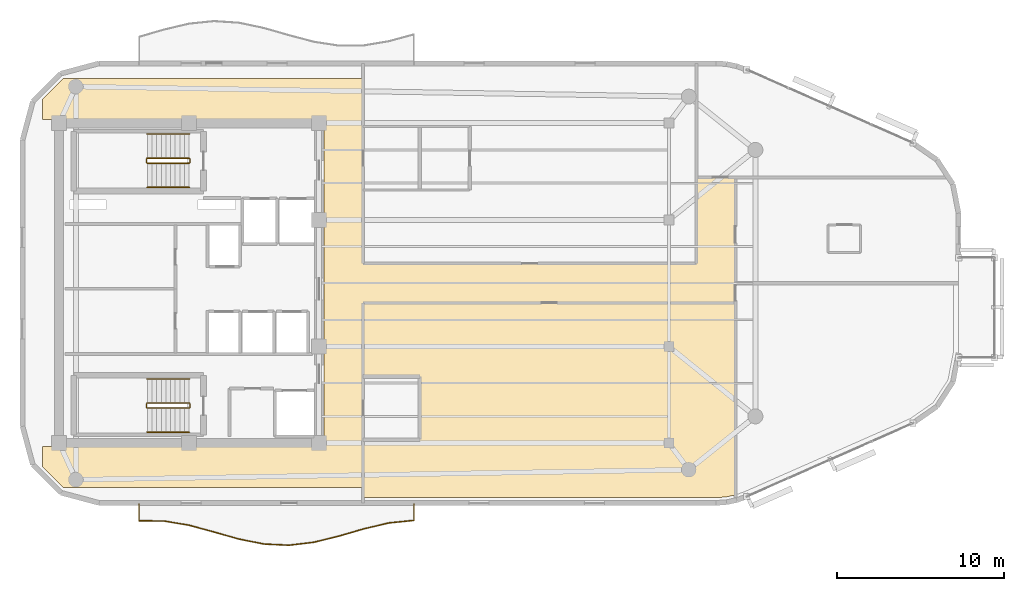
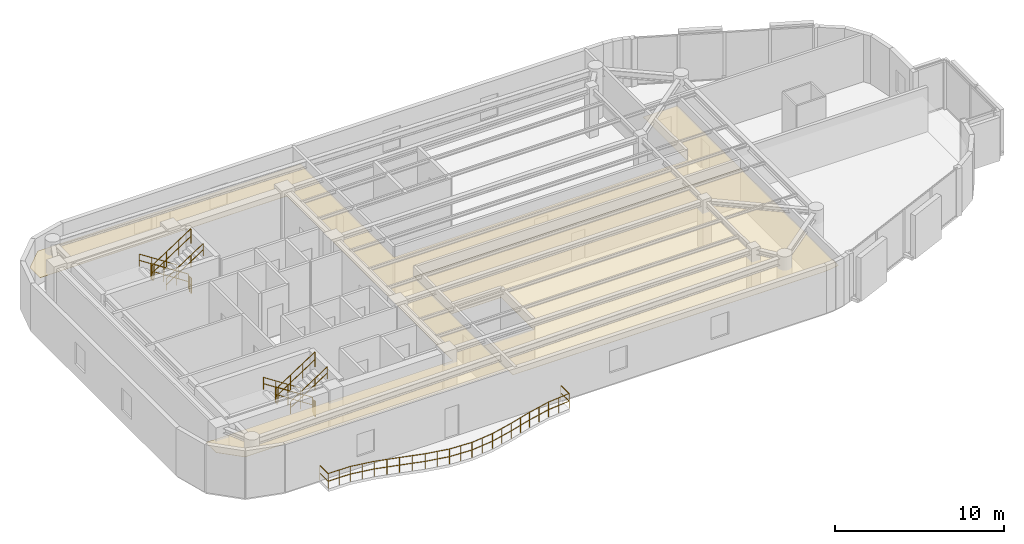
# One storey, part 12 of 13: 13 railings, 2 coverings.
"""IFC4 building model written with IfcOpenShell, lengths in metres."""

from ifc_helpers import new_model, si_unit, direction, frame, origin, origin_2d, place, context, subcontext, project, spatial, polyline, circle, outline, extrude, material, layer, layer_set, type_object, element, save


model = new_model("IFC4")

# Units and contexts
model_context = context("Model", 3, precision=1e-05, world=origin(), true_north=direction((0.0, 1.0)))
body_context = subcontext(model_context, "Body", "Model", "MODEL_VIEW")
ifc_project = project(units=[si_unit("LENGTHUNIT", "METRE"), si_unit("AREAUNIT", "SQUARE_METRE"), si_unit("VOLUMEUNIT", "CUBIC_METRE"), si_unit("PLANEANGLEUNIT", "RADIAN"), si_unit("MASSUNIT", "GRAM", prefix="KILO")], contexts=[model_context])

# Site, building, storey
site_placement = place(None, origin())
site = spatial("IfcSite", under=ifc_project, at=site_placement, CompositionType="ELEMENT")
building_placement = place(site_placement, origin())
building = spatial("IfcBuilding", under=site, at=building_placement, Name="An Khanh Terracotta Commons", CompositionType="ELEMENT")
storey_placement = place(building_placement, frame((0.0, 0.0, 288.0)))
storey = spatial("IfcBuildingStorey", under=building, at=storey_placement, Name="L75", CompositionType="ELEMENT", Elevation=288.0)

# Coverings
ifc_material_1 = material(Name="Perforated Mineral-Fibre Acoustic Tile")
ifc_layer = layer(ifc_material_1, 0.02001953125, Name="Perforated Mineral-Fibre Acoustic Tile")
ifc_layer_set = layer_set([ifc_layer], Name="Perforated Mineral-Fibre Acoustic Tile")
covering_type = type_object("IfcCoveringType", Name="CEIL-ACOUSTIC-18", PredefinedType="CEILING", material=ifc_layer_set)
covering_1_placement = place(storey_placement, frame((0.0, 0.0, 2.64990234375)))
element("IfcCovering", 1, at=covering_1_placement, inside=storey, type_object=covering_type, Name="L75 Corridor Ceiling", PredefinedType="CEILING", context=body_context, shape_type="SweptSolid", body=[
    extrude(outline(polyline([(21.84912109375, 11.719970703125), (20.60009765625, 12.968994140625), (20.60009765625, 14.179931640625), (37.5, 14.179931640625), (37.5, 33.820068359375), (20.60009765625, 33.820068359375), (20.60009765625, 35.031005859375), (21.84912109375, 36.280029296875), (37.5, 36.280029296875), (39.85009765625, 36.280029296875), (39.85009765625, 33.820068359375), (39.85009765625, 25.179931640625), (59.85009765625, 25.179931640625), (59.85009765625, 30.35009765625), (62.199951171875, 30.35009765625), (62.199951171875, 25.179931640625), (62.199951171875, 22.820068359375), (59.85009765625, 22.820068359375), (39.85009765625, 22.820068359375), (39.85009765625, 14.179931640625), (39.85009765625, 11.719970703125), (37.5, 11.719970703125), (21.84912109375, 11.719970703125)])), origin(), (0.0, 0.0, 1.0), 0.02001953125),
])
covering_2_placement = place(storey_placement, frame((0.0, 0.0, 2.64990234375)))
element("IfcCovering", 2, at=covering_2_placement, inside=storey, type_object=covering_type, Name="L75 Academic Seminar Room Ceiling", PredefinedType="CEILING", context=body_context, shape_type="SweptSolid", body=[
    extrude(outline(polyline([(61.62109375, 11.162109375), (61.01904296875, 11.1201171875), (39.85009765625, 11.1201171875), (39.85009765625, 11.719970703125), (39.85009765625, 14.179931640625), (39.85009765625, 14.60009765625), (43.25, 14.60009765625), (43.25, 18.39990234375), (39.85009765625, 18.39990234375), (39.85009765625, 22.820068359375), (59.85009765625, 22.820068359375), (62.199951171875, 22.820068359375), (62.199951171875, 11.282958984375), (61.62109375, 11.162109375)])), origin(), (0.0, 0.0, 1.0), 0.02001953125),
])

# Railings
ifc_material_2 = material(Name="Brushed Stainless Steel 316", Category="steel")
railing_type_1 = type_object("IfcRailingType", Name="RAIL-BALUSTRADE-1100", PredefinedType="BALUSTRADE", material=ifc_material_2)
railing_1_placement = place(storey_placement, frame((26.39990234375, 10.739990234375, 0.0)))
element("IfcRailing", 3, at=railing_1_placement, inside=storey, type_object=railing_type_1, Name="L75 S Wave Balcony Guard Balustrade", PredefinedType="BALUSTRADE", context=body_context, shape_type="SweptSolid", body=[
    extrude(circle(Radius=0.02392578125, at=origin_2d()), frame((0.0, 0.0, 1.076171875), z_axis=(0.0, -1.0, 0.0), x_axis=(1.0, 0.0, 0.0)), (0.0, 0.0, 1.0), 1.006103515625),
    extrude(circle(Radius=0.02392578125, at=origin_2d()), frame((0.0, 0.0, 0.52587890625), z_axis=(0.0, -1.0, 0.0), x_axis=(1.0, 0.0, 0.0)), (0.0, 0.0, 1.0), 1.006103515625),
    extrude(circle(Radius=0.02392578125, at=origin_2d()), frame((0.0, -1.006103515625, 1.076171875), z_axis=(0.999956968224, -0.009276944529, 0.0), x_axis=(0.009276944529, 0.999956968224, 0.0)), (0.0, 0.0, 1.0), 1.5),
    extrude(circle(Radius=0.02392578125, at=origin_2d()), frame((0.0, -1.006103515625, 0.52587890625), z_axis=(0.999956968224, -0.009276944529, 0.0), x_axis=(0.009276944529, 0.999956968224, 0.0)), (0.0, 0.0, 1.0), 1.5),
    extrude(circle(Radius=0.02392578125, at=origin_2d()), frame((1.5, -1.02001953125, 1.076171875), z_axis=(0.986079829755, -0.16627257546, 0.0), x_axis=(0.16627257546, 0.986079829755, 0.0)), (0.0, 0.0, 1.0), 1.521240234375),
    extrude(circle(Radius=0.02392578125, at=origin_2d()), frame((1.5, -1.02001953125, 0.52587890625), z_axis=(0.986079829755, -0.16627257546, 0.0), x_axis=(0.16627257546, 0.986079829755, 0.0)), (0.0, 0.0, 1.0), 1.521240234375),
    extrude(circle(Radius=0.02392578125, at=origin_2d()), frame((3.0, -1.27294921875, 1.076171875), z_axis=(0.964948425307, -0.262439586375, 0.0), x_axis=(0.262439586375, 0.964948425307, 0.0)), (0.0, 0.0, 1.0), 1.554443359375),
    extrude(circle(Radius=0.02392578125, at=origin_2d()), frame((3.0, -1.27294921875, 0.52587890625), z_axis=(0.964948425307, -0.262439586375, 0.0), x_axis=(0.262439586375, 0.964948425307, 0.0)), (0.0, 0.0, 1.0), 1.554443359375),
    extrude(circle(Radius=0.02392578125, at=origin_2d()), frame((4.5, -1.680908203125, 1.076171875), z_axis=(0.962282666556, -0.272051593719, 0.0), x_axis=(0.272051593719, 0.962282666556, 0.0)), (0.0, 0.0, 1.0), 1.558837890625),
    extrude(circle(Radius=0.02392578125, at=origin_2d()), frame((4.5, -1.680908203125, 0.52587890625), z_axis=(0.962282666556, -0.272051593719, 0.0), x_axis=(0.272051593719, 0.962282666556, 0.0)), (0.0, 0.0, 1.0), 1.558837890625),
    extrude(circle(Radius=0.02392578125, at=origin_2d()), frame((6.0, -2.10498046875, 1.076171875), z_axis=(0.980819402607, -0.194918699639, 0.0), x_axis=(0.194918699639, 0.980819402607, 0.0)), (0.0, 0.0, 1.0), 1.529296875),
    extrude(circle(Radius=0.02392578125, at=origin_2d()), frame((6.0, -2.10498046875, 0.52587890625), z_axis=(0.980819402607, -0.194918699639, 0.0), x_axis=(0.194918699639, 0.980819402607, 0.0)), (0.0, 0.0, 1.0), 1.529296875),
    extrude(circle(Radius=0.02392578125, at=origin_2d()), frame((7.5, -2.403076171875, 1.076171875), z_axis=(0.998887913276, -0.047148029761, 0.0), x_axis=(0.047148029761, 0.998887913276, 0.0)), (0.0, 0.0, 1.0), 1.501708984375),
    extrude(circle(Radius=0.02392578125, at=origin_2d()), frame((7.5, -2.403076171875, 0.52587890625), z_axis=(0.998887913276, -0.047148029761, 0.0), x_axis=(0.047148029761, 0.998887913276, 0.0)), (0.0, 0.0, 1.0), 1.501708984375),
    extrude(circle(Radius=0.02392578125, at=origin_2d()), frame((9.0, -2.473876953125, 1.076171875), z_axis=(0.99288219023, 0.11910061429, 0.0), x_axis=(-0.11910061429, 0.99288219023, 0.0)), (0.0, 0.0, 1.0), 1.5107421875),
    extrude(circle(Radius=0.02392578125, at=origin_2d()), frame((9.0, -2.473876953125, 0.52587890625), z_axis=(0.99288219023, 0.11910061429, 0.0), x_axis=(-0.11910061429, 0.99288219023, 0.0)), (0.0, 0.0, 1.0), 1.5107421875),
    extrude(circle(Radius=0.02392578125, at=origin_2d()), frame((10.5, -2.2939453125, 1.076171875), z_axis=(0.970918311966, 0.239411009542, 0.0), x_axis=(-0.239411009542, 0.970918311966, 0.0)), (0.0, 0.0, 1.0), 1.544921875),
    extrude(circle(Radius=0.02392578125, at=origin_2d()), frame((10.5, -2.2939453125, 0.52587890625), z_axis=(0.970918311966, 0.239411009542, 0.0), x_axis=(-0.239411009542, 0.970918311966, 0.0)), (0.0, 0.0, 1.0), 1.544921875),
    extrude(circle(Radius=0.02392578125, at=origin_2d()), frame((12.0, -1.924072265625, 1.076171875), z_axis=(0.960419102414, 0.278559056071, 0.0), x_axis=(-0.278559056071, 0.960419102414, 0.0)), (0.0, 0.0, 1.0), 1.561767578125),
    extrude(circle(Radius=0.02392578125, at=origin_2d()), frame((12.0, -1.924072265625, 0.52587890625), z_axis=(0.960419102414, 0.278559056071, 0.0), x_axis=(-0.278559056071, 0.960419102414, 0.0)), (0.0, 0.0, 1.0), 1.561767578125),
    extrude(circle(Radius=0.02392578125, at=origin_2d()), frame((13.5, -1.489013671875, 1.076171875), z_axis=(0.973263214687, 0.229692653206, 0.0), x_axis=(-0.229692653206, 0.973263214687, 0.0)), (0.0, 0.0, 1.0), 1.541259765625),
    extrude(circle(Radius=0.02392578125, at=origin_2d()), frame((13.5, -1.489013671875, 0.52587890625), z_axis=(0.973263214687, 0.229692653206, 0.0), x_axis=(-0.229692653206, 0.973263214687, 0.0)), (0.0, 0.0, 1.0), 1.541259765625),
    extrude(circle(Radius=0.02392578125, at=origin_2d()), frame((15.0, -1.135009765625, 1.076171875), z_axis=(0.994833141332, 0.101523499286, 0.0), x_axis=(-0.101523499286, 0.994833141332, 0.0)), (0.0, 0.0, 1.0), 1.5078125),
    extrude(circle(Radius=0.02392578125, at=origin_2d()), frame((15.0, -1.135009765625, 0.52587890625), z_axis=(0.994833141332, 0.101523499286, 0.0), x_axis=(-0.101523499286, 0.994833141332, 0.0)), (0.0, 0.0, 1.0), 1.5078125),
    extrude(circle(Radius=0.02392578125, at=origin_2d()), frame((16.5, -0.98193359375, 1.076171875), z_axis=(0.0, 1.0, 0.0), x_axis=(-1.0, 0.0, 0.0)), (0.0, 0.0, 1.0), 0.98193359375),
    extrude(circle(Radius=0.02392578125, at=origin_2d()), frame((16.5, -0.98193359375, 0.52587890625), z_axis=(0.0, 1.0, 0.0), x_axis=(-1.0, 0.0, 0.0)), (0.0, 0.0, 1.0), 0.98193359375),
    extrude(circle(Radius=0.02099609375, at=origin_2d()), origin(), (0.0, 0.0, 1.0), 1.052001953125),
    extrude(circle(Radius=0.02099609375, at=origin_2d()), frame((0.0, -1.006103515625, 0.0)), (0.0, 0.0, 1.0), 1.052001953125),
    extrude(circle(Radius=0.02099609375, at=origin_2d()), frame((0.75, -1.01318359375, 0.0)), (0.0, 0.0, 1.0), 1.052001953125),
    extrude(circle(Radius=0.02099609375, at=origin_2d()), frame((1.5, -1.02001953125, 0.0)), (0.0, 0.0, 1.0), 1.052001953125),
    extrude(circle(Radius=0.02099609375, at=origin_2d()), frame((2.25, -1.146484375, 0.0)), (0.0, 0.0, 1.0), 1.052001953125),
    extrude(circle(Radius=0.02099609375, at=origin_2d()), frame((3.0, -1.27294921875, 0.0)), (0.0, 0.0, 1.0), 1.052001953125),
    extrude(circle(Radius=0.02099609375, at=origin_2d()), frame((3.75, -1.47705078125, 0.0)), (0.0, 0.0, 1.0), 1.052001953125),
    extrude(circle(Radius=0.02099609375, at=origin_2d()), frame((4.5, -1.680908203125, 0.0)), (0.0, 0.0, 1.0), 1.052001953125),
    extrude(circle(Radius=0.02099609375, at=origin_2d()), frame((5.25, -1.89306640625, 0.0)), (0.0, 0.0, 1.0), 1.052001953125),
    extrude(circle(Radius=0.02099609375, at=origin_2d()), frame((6.0, -2.10498046875, 0.0)), (0.0, 0.0, 1.0), 1.052001953125),
    extrude(circle(Radius=0.02099609375, at=origin_2d()), frame((6.75, -2.25390625, 0.0)), (0.0, 0.0, 1.0), 1.052001953125),
    extrude(circle(Radius=0.02099609375, at=origin_2d()), frame((7.5, -2.403076171875, 0.0)), (0.0, 0.0, 1.0), 1.052001953125),
    extrude(circle(Radius=0.02099609375, at=origin_2d()), frame((8.25, -2.4384765625, 0.0)), (0.0, 0.0, 1.0), 1.052001953125),
    extrude(circle(Radius=0.02099609375, at=origin_2d()), frame((9.0, -2.473876953125, 0.0)), (0.0, 0.0, 1.0), 1.052001953125),
    extrude(circle(Radius=0.02099609375, at=origin_2d()), frame((9.75, -2.3837890625, 0.0)), (0.0, 0.0, 1.0), 1.052001953125),
    extrude(circle(Radius=0.02099609375, at=origin_2d()), frame((10.5, -2.2939453125, 0.0)), (0.0, 0.0, 1.0), 1.052001953125),
    extrude(circle(Radius=0.02099609375, at=origin_2d()), frame((11.25, -2.10888671875, 0.0)), (0.0, 0.0, 1.0), 1.052001953125),
    extrude(circle(Radius=0.02099609375, at=origin_2d()), frame((12.0, -1.924072265625, 0.0)), (0.0, 0.0, 1.0), 1.052001953125),
    extrude(circle(Radius=0.02099609375, at=origin_2d()), frame((12.75, -1.70654296875, 0.0)), (0.0, 0.0, 1.0), 1.052001953125),
    extrude(circle(Radius=0.02099609375, at=origin_2d()), frame((13.5, -1.489013671875, 0.0)), (0.0, 0.0, 1.0), 1.052001953125),
    extrude(circle(Radius=0.02099609375, at=origin_2d()), frame((14.25, -1.31201171875, 0.0)), (0.0, 0.0, 1.0), 1.052001953125),
    extrude(circle(Radius=0.02099609375, at=origin_2d()), frame((15.0, -1.135009765625, 0.0)), (0.0, 0.0, 1.0), 1.052001953125),
    extrude(circle(Radius=0.02099609375, at=origin_2d()), frame((15.75, -1.05859375, 0.0)), (0.0, 0.0, 1.0), 1.052001953125),
    extrude(circle(Radius=0.02099609375, at=origin_2d()), frame((16.5, -0.98193359375, 0.0)), (0.0, 0.0, 1.0), 1.052001953125),
    extrude(circle(Radius=0.02099609375, at=origin_2d()), frame((16.5, 0.0, 0.0)), (0.0, 0.0, 1.0), 1.052001953125),
])
railing_type_2 = type_object("IfcRailingType", Name="RAIL-HANDRAIL-900", PredefinedType="HANDRAIL", material=ifc_material_2)
railing_2_placement = place(storey_placement, frame((29.409912109375, 32.949951171875, 0.1826171875)))
element("IfcRailing", 4, at=railing_2_placement, inside=storey, type_object=railing_type_2, Name="L75 ST-01 stair handrail 1", PredefinedType="HANDRAIL", context=body_context, shape_type="SweptSolid", body=[
    extrude(circle(Radius=0.02392578125, at=origin_2d()), frame((0.0, 0.0, 0.8759765625), z_axis=(-0.837786554691, 0.0, 0.545997883492), x_axis=(0.0, -1.0, 0.0)), (0.0, 0.0, 1.0), 3.008056640625),
    extrude(circle(Radius=0.02392578125, at=origin_2d()), frame((0.0, 0.0, 0.42578125), z_axis=(-0.837786554691, 0.0, 0.545997883492), x_axis=(0.0, -1.0, 0.0)), (0.0, 0.0, 1.0), 3.008056640625),
    extrude(circle(Radius=0.02099609375, at=origin_2d()), origin(), (0.0, 0.0, 1.0), 0.851806640625),
    extrude(circle(Radius=0.02099609375, at=origin_2d()), frame((-0.840087890625, 0.0, 0.54736328125)), (0.0, 0.0, 1.0), 0.851806640625),
    extrude(circle(Radius=0.02099609375, at=origin_2d()), frame((-1.679931640625, 0.0, 1.094970703125)), (0.0, 0.0, 1.0), 0.851806640625),
    extrude(circle(Radius=0.02099609375, at=origin_2d()), frame((-2.52001953125, 0.0, 1.642333984375)), (0.0, 0.0, 1.0), 0.851806640625),
])
railing_3_placement = place(storey_placement, frame((26.889892578125, 29.75, 2.007568359375)))
element("IfcRailing", 5, at=railing_3_placement, inside=storey, type_object=railing_type_2, Name="L75 ST-01 stair handrail 2", PredefinedType="HANDRAIL", context=body_context, shape_type="SweptSolid", body=[
    extrude(circle(Radius=0.02392578125, at=origin_2d()), frame((0.0, 0.0, 0.8759765625), z_axis=(0.837786554691, 0.0, 0.545997883492), x_axis=(0.0, 1.0, 0.0)), (0.0, 0.0, 1.0), 3.008056640625),
    extrude(circle(Radius=0.02392578125, at=origin_2d()), frame((0.0, 0.0, 0.42578125), z_axis=(0.837786554691, 0.0, 0.545997883492), x_axis=(0.0, 1.0, 0.0)), (0.0, 0.0, 1.0), 3.008056640625),
    extrude(circle(Radius=0.02099609375, at=origin_2d()), origin(), (0.0, 0.0, 1.0), 0.851806640625),
    extrude(circle(Radius=0.02099609375, at=origin_2d()), frame((0.840087890625, 0.0, 0.54736328125)), (0.0, 0.0, 1.0), 0.851806640625),
    extrude(circle(Radius=0.02099609375, at=origin_2d()), frame((1.679931640625, 0.0, 1.094970703125)), (0.0, 0.0, 1.0), 0.851806640625),
    extrude(circle(Radius=0.02099609375, at=origin_2d()), frame((2.52001953125, 0.0, 1.642333984375)), (0.0, 0.0, 1.0), 0.851806640625),
])
railing_4_placement = place(storey_placement, frame((29.409912109375, 18.25, 0.1826171875)))
element("IfcRailing", 6, at=railing_4_placement, inside=storey, type_object=railing_type_2, Name="L75 ST-02 stair handrail 1", PredefinedType="HANDRAIL", context=body_context, shape_type="SweptSolid", body=[
    extrude(circle(Radius=0.02392578125, at=origin_2d()), frame((0.0, 0.0, 0.8759765625), z_axis=(-0.837786554691, 0.0, 0.545997883492), x_axis=(0.0, -1.0, 0.0)), (0.0, 0.0, 1.0), 3.008056640625),
    extrude(circle(Radius=0.02392578125, at=origin_2d()), frame((0.0, 0.0, 0.42578125), z_axis=(-0.837786554691, 0.0, 0.545997883492), x_axis=(0.0, -1.0, 0.0)), (0.0, 0.0, 1.0), 3.008056640625),
    extrude(circle(Radius=0.02099609375, at=origin_2d()), origin(), (0.0, 0.0, 1.0), 0.851806640625),
    extrude(circle(Radius=0.02099609375, at=origin_2d()), frame((-0.840087890625, 0.0, 0.54736328125)), (0.0, 0.0, 1.0), 0.851806640625),
    extrude(circle(Radius=0.02099609375, at=origin_2d()), frame((-1.679931640625, 0.0, 1.094970703125)), (0.0, 0.0, 1.0), 0.851806640625),
    extrude(circle(Radius=0.02099609375, at=origin_2d()), frame((-2.52001953125, 0.0, 1.642333984375)), (0.0, 0.0, 1.0), 0.851806640625),
])
railing_5_placement = place(storey_placement, frame((26.889892578125, 15.050048828125, 2.007568359375)))
element("IfcRailing", 7, at=railing_5_placement, inside=storey, type_object=railing_type_2, Name="L75 ST-02 stair handrail 2", PredefinedType="HANDRAIL", context=body_context, shape_type="SweptSolid", body=[
    extrude(circle(Radius=0.02392578125, at=origin_2d()), frame((0.0, 0.0, 0.8759765625), z_axis=(0.837786554691, 0.0, 0.545997883492), x_axis=(0.0, 1.0, 0.0)), (0.0, 0.0, 1.0), 3.008056640625),
    extrude(circle(Radius=0.02392578125, at=origin_2d()), frame((0.0, 0.0, 0.42578125), z_axis=(0.837786554691, 0.0, 0.545997883492), x_axis=(0.0, 1.0, 0.0)), (0.0, 0.0, 1.0), 3.008056640625),
    extrude(circle(Radius=0.02099609375, at=origin_2d()), origin(), (0.0, 0.0, 1.0), 0.851806640625),
    extrude(circle(Radius=0.02099609375, at=origin_2d()), frame((0.840087890625, 0.0, 0.54736328125)), (0.0, 0.0, 1.0), 0.851806640625),
    extrude(circle(Radius=0.02099609375, at=origin_2d()), frame((1.679931640625, 0.0, 1.094970703125)), (0.0, 0.0, 1.0), 0.851806640625),
    extrude(circle(Radius=0.02099609375, at=origin_2d()), frame((2.52001953125, 0.0, 1.642333984375)), (0.0, 0.0, 1.0), 0.851806640625),
])
ifc_material_3 = material(Name="Powder-Coated Steel S355J2", Category="steel")
railing_type_3 = type_object("IfcRailingType", Name="RAIL-STAIR-GUARD-1100", PredefinedType="BALUSTRADE", material=ifc_material_3)
railing_6_placement = place(storey_placement, frame((29.409912109375, 31.5, 0.1826171875)))
element("IfcRailing", 8, at=railing_6_placement, inside=storey, type_object=railing_type_3, Name="L75 ST-01 stair guard 1", PredefinedType="BALUSTRADE", context=body_context, shape_type="SweptSolid", body=[
    extrude(circle(Radius=0.02392578125, at=origin_2d()), frame((0.0, 0.0, 1.076171875), z_axis=(-0.837786554691, 0.0, 0.545997883492), x_axis=(0.0, -1.0, 0.0)), (0.0, 0.0, 1.0), 3.008056640625),
    extrude(circle(Radius=0.02392578125, at=origin_2d()), frame((0.0, 0.0, 0.52587890625), z_axis=(-0.837786554691, 0.0, 0.545997883492), x_axis=(0.0, -1.0, 0.0)), (0.0, 0.0, 1.0), 3.008056640625),
    extrude(circle(Radius=0.02099609375, at=origin_2d()), origin(), (0.0, 0.0, 1.0), 1.052001953125),
    extrude(circle(Radius=0.02099609375, at=origin_2d()), frame((-0.840087890625, 0.0, 0.54736328125)), (0.0, 0.0, 1.0), 1.052001953125),
    extrude(circle(Radius=0.02099609375, at=origin_2d()), frame((-1.679931640625, 0.0, 1.094970703125)), (0.0, 0.0, 1.0), 1.052001953125),
    extrude(circle(Radius=0.02099609375, at=origin_2d()), frame((-2.52001953125, 0.0, 1.642333984375)), (0.0, 0.0, 1.0), 1.052001953125),
])
railing_7_placement = place(storey_placement, frame((26.840087890625, 31.449951171875, 1.824951171875)))
element("IfcRailing", 9, at=railing_7_placement, inside=storey, type_object=railing_type_3, Name="L75 ST-01 stair guard 2", PredefinedType="BALUSTRADE", context=body_context, shape_type="SweptSolid", body=[
    extrude(circle(Radius=0.02392578125, at=origin_2d()), frame((0.0, 0.0, 1.076171875), z_axis=(0.0, -1.0, 0.0), x_axis=(1.0, 0.0, 0.0)), (0.0, 0.0, 1.0), 0.199951171875),
    extrude(circle(Radius=0.02392578125, at=origin_2d()), frame((0.0, 0.0, 0.52587890625), z_axis=(0.0, -1.0, 0.0), x_axis=(1.0, 0.0, 0.0)), (0.0, 0.0, 1.0), 0.199951171875),
    extrude(circle(Radius=0.02099609375, at=origin_2d()), origin(), (0.0, 0.0, 1.0), 1.052001953125),
    extrude(circle(Radius=0.02099609375, at=origin_2d()), frame((0.0, -0.199951171875, 0.0)), (0.0, 0.0, 1.0), 1.052001953125),
])
railing_8_placement = place(storey_placement, frame((26.889892578125, 31.199951171875, 2.007568359375)))
element("IfcRailing", 10, at=railing_8_placement, inside=storey, type_object=railing_type_3, Name="L75 ST-01 stair guard 3", PredefinedType="BALUSTRADE", context=body_context, shape_type="SweptSolid", body=[
    extrude(circle(Radius=0.02392578125, at=origin_2d()), frame((0.0, 0.0, 1.076171875), z_axis=(0.837786554691, 0.0, 0.545997883492), x_axis=(0.0, 1.0, 0.0)), (0.0, 0.0, 1.0), 3.008056640625),
    extrude(circle(Radius=0.02392578125, at=origin_2d()), frame((0.0, 0.0, 0.52587890625), z_axis=(0.837786554691, 0.0, 0.545997883492), x_axis=(0.0, 1.0, 0.0)), (0.0, 0.0, 1.0), 3.008056640625),
    extrude(circle(Radius=0.02099609375, at=origin_2d()), origin(), (0.0, 0.0, 1.0), 1.052001953125),
    extrude(circle(Radius=0.02099609375, at=origin_2d()), frame((0.840087890625, 0.0, 0.54736328125)), (0.0, 0.0, 1.0), 1.052001953125),
    extrude(circle(Radius=0.02099609375, at=origin_2d()), frame((1.679931640625, 0.0, 1.094970703125)), (0.0, 0.0, 1.0), 1.052001953125),
    extrude(circle(Radius=0.02099609375, at=origin_2d()), frame((2.52001953125, 0.0, 1.642333984375)), (0.0, 0.0, 1.0), 1.052001953125),
])
railing_9_placement = place(storey_placement, frame((29.4599609375, 31.449951171875, 0.0)))
element("IfcRailing", 11, at=railing_9_placement, inside=storey, type_object=railing_type_3, Name="L75 ST-01 stair guard 4", PredefinedType="BALUSTRADE", context=body_context, shape_type="SweptSolid", body=[
    extrude(circle(Radius=0.02392578125, at=origin_2d()), frame((0.0, 0.0, 1.076171875), z_axis=(0.0, -1.0, 0.0), x_axis=(1.0, 0.0, 0.0)), (0.0, 0.0, 1.0), 0.199951171875),
    extrude(circle(Radius=0.02392578125, at=origin_2d()), frame((0.0, 0.0, 0.52587890625), z_axis=(0.0, -1.0, 0.0), x_axis=(1.0, 0.0, 0.0)), (0.0, 0.0, 1.0), 0.199951171875),
    extrude(circle(Radius=0.02099609375, at=origin_2d()), origin(), (0.0, 0.0, 1.0), 1.052001953125),
    extrude(circle(Radius=0.02099609375, at=origin_2d()), frame((0.0, -0.199951171875, 0.0)), (0.0, 0.0, 1.0), 1.052001953125),
])
railing_10_placement = place(storey_placement, frame((29.409912109375, 16.800048828125, 0.1826171875)))
element("IfcRailing", 12, at=railing_10_placement, inside=storey, type_object=railing_type_3, Name="L75 ST-02 stair guard 1", PredefinedType="BALUSTRADE", context=body_context, shape_type="SweptSolid", body=[
    extrude(circle(Radius=0.02392578125, at=origin_2d()), frame((0.0, 0.0, 1.076171875), z_axis=(-0.837786554691, 0.0, 0.545997883492), x_axis=(0.0, -1.0, 0.0)), (0.0, 0.0, 1.0), 3.008056640625),
    extrude(circle(Radius=0.02392578125, at=origin_2d()), frame((0.0, 0.0, 0.52587890625), z_axis=(-0.837786554691, 0.0, 0.545997883492), x_axis=(0.0, -1.0, 0.0)), (0.0, 0.0, 1.0), 3.008056640625),
    extrude(circle(Radius=0.02099609375, at=origin_2d()), origin(), (0.0, 0.0, 1.0), 1.052001953125),
    extrude(circle(Radius=0.02099609375, at=origin_2d()), frame((-0.840087890625, 0.0, 0.54736328125)), (0.0, 0.0, 1.0), 1.052001953125),
    extrude(circle(Radius=0.02099609375, at=origin_2d()), frame((-1.679931640625, 0.0, 1.094970703125)), (0.0, 0.0, 1.0), 1.052001953125),
    extrude(circle(Radius=0.02099609375, at=origin_2d()), frame((-2.52001953125, 0.0, 1.642333984375)), (0.0, 0.0, 1.0), 1.052001953125),
])
railing_11_placement = place(storey_placement, frame((26.840087890625, 16.75, 1.824951171875)))
element("IfcRailing", 13, at=railing_11_placement, inside=storey, type_object=railing_type_3, Name="L75 ST-02 stair guard 2", PredefinedType="BALUSTRADE", context=body_context, shape_type="SweptSolid", body=[
    extrude(circle(Radius=0.02392578125, at=origin_2d()), frame((0.0, 0.0, 1.076171875), z_axis=(0.0, -1.0, 0.0), x_axis=(1.0, 0.0, 0.0)), (0.0, 0.0, 1.0), 0.199951171875),
    extrude(circle(Radius=0.02392578125, at=origin_2d()), frame((0.0, 0.0, 0.52587890625), z_axis=(0.0, -1.0, 0.0), x_axis=(1.0, 0.0, 0.0)), (0.0, 0.0, 1.0), 0.199951171875),
    extrude(circle(Radius=0.02099609375, at=origin_2d()), origin(), (0.0, 0.0, 1.0), 1.052001953125),
    extrude(circle(Radius=0.02099609375, at=origin_2d()), frame((0.0, -0.199951171875, 0.0)), (0.0, 0.0, 1.0), 1.052001953125),
])
railing_12_placement = place(storey_placement, frame((26.889892578125, 16.5, 2.007568359375)))
element("IfcRailing", 14, at=railing_12_placement, inside=storey, type_object=railing_type_3, Name="L75 ST-02 stair guard 3", PredefinedType="BALUSTRADE", context=body_context, shape_type="SweptSolid", body=[
    extrude(circle(Radius=0.02392578125, at=origin_2d()), frame((0.0, 0.0, 1.076171875), z_axis=(0.837786554691, 0.0, 0.545997883492), x_axis=(0.0, 1.0, 0.0)), (0.0, 0.0, 1.0), 3.008056640625),
    extrude(circle(Radius=0.02392578125, at=origin_2d()), frame((0.0, 0.0, 0.52587890625), z_axis=(0.837786554691, 0.0, 0.545997883492), x_axis=(0.0, 1.0, 0.0)), (0.0, 0.0, 1.0), 3.008056640625),
    extrude(circle(Radius=0.02099609375, at=origin_2d()), origin(), (0.0, 0.0, 1.0), 1.052001953125),
    extrude(circle(Radius=0.02099609375, at=origin_2d()), frame((0.840087890625, 0.0, 0.54736328125)), (0.0, 0.0, 1.0), 1.052001953125),
    extrude(circle(Radius=0.02099609375, at=origin_2d()), frame((1.679931640625, 0.0, 1.094970703125)), (0.0, 0.0, 1.0), 1.052001953125),
    extrude(circle(Radius=0.02099609375, at=origin_2d()), frame((2.52001953125, 0.0, 1.642333984375)), (0.0, 0.0, 1.0), 1.052001953125),
])
railing_13_placement = place(storey_placement, frame((29.4599609375, 16.75, 0.0)))
element("IfcRailing", 15, at=railing_13_placement, inside=storey, type_object=railing_type_3, Name="L75 ST-02 stair guard 4", PredefinedType="BALUSTRADE", context=body_context, shape_type="SweptSolid", body=[
    extrude(circle(Radius=0.02392578125, at=origin_2d()), frame((0.0, 0.0, 1.076171875), z_axis=(0.0, -1.0, 0.0), x_axis=(1.0, 0.0, 0.0)), (0.0, 0.0, 1.0), 0.199951171875),
    extrude(circle(Radius=0.02392578125, at=origin_2d()), frame((0.0, 0.0, 0.52587890625), z_axis=(0.0, -1.0, 0.0), x_axis=(1.0, 0.0, 0.0)), (0.0, 0.0, 1.0), 0.199951171875),
    extrude(circle(Radius=0.02099609375, at=origin_2d()), origin(), (0.0, 0.0, 1.0), 1.052001953125),
    extrude(circle(Radius=0.02099609375, at=origin_2d()), frame((0.0, -0.199951171875, 0.0)), (0.0, 0.0, 1.0), 1.052001953125),
])

save(model, "model.ifc")
